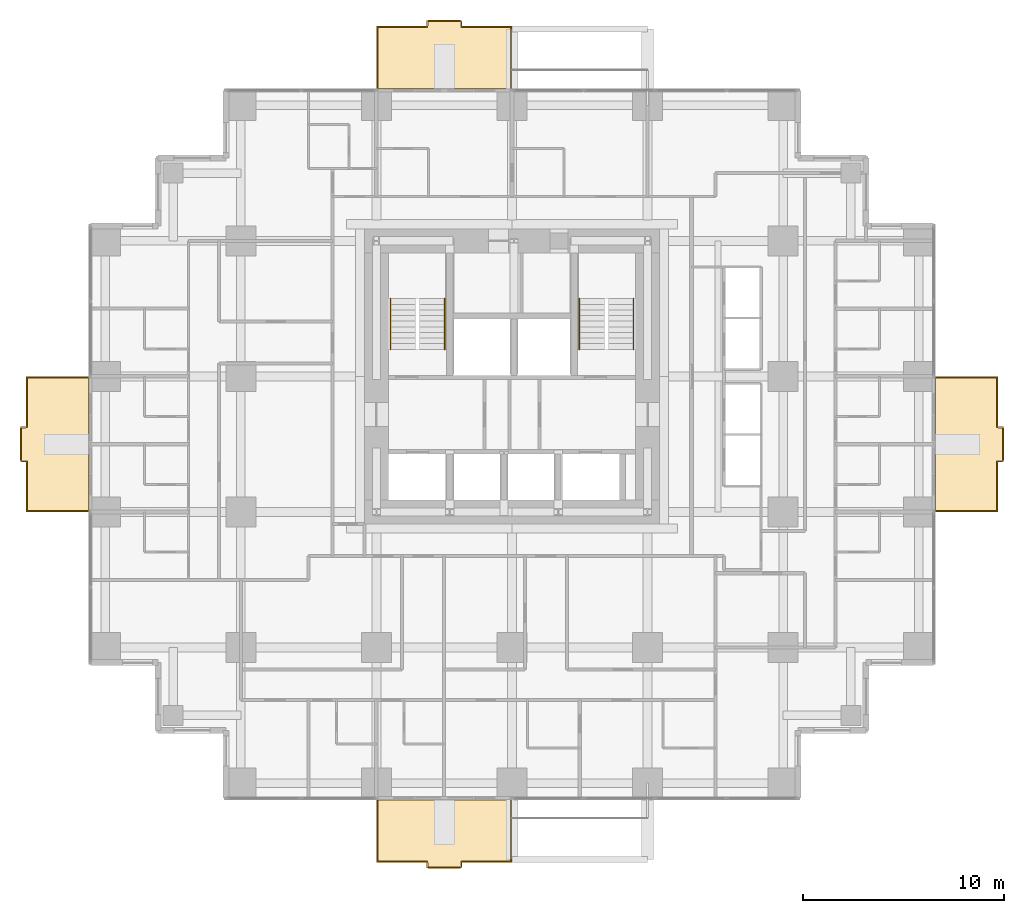
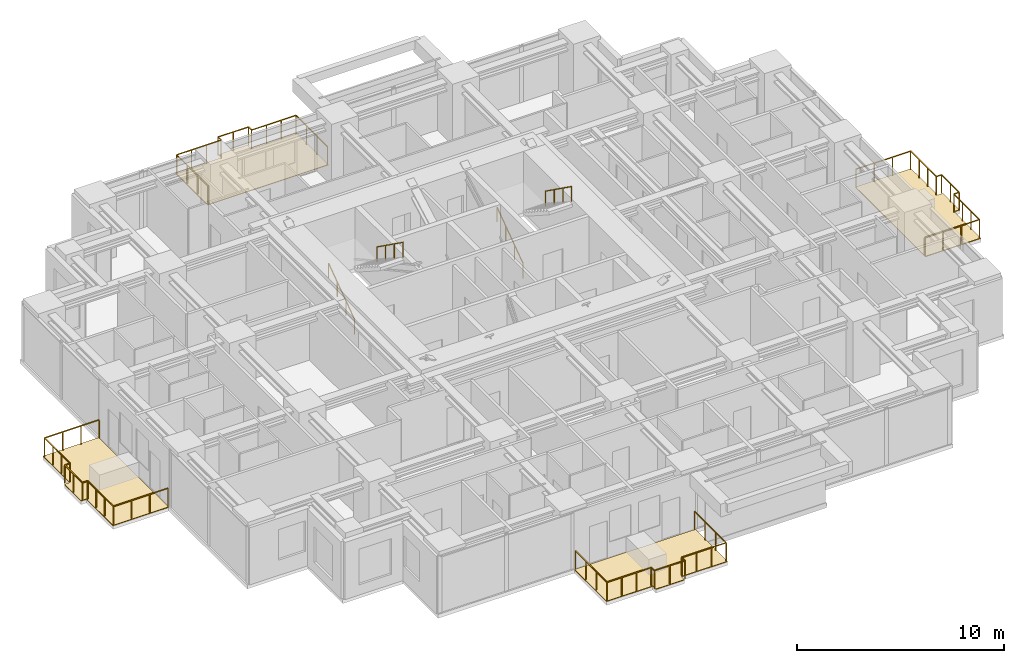
# One storey, part 13 of 13: 8 railings, 4 coverings.
"""IFC4 building model written with IfcOpenShell, lengths in metres."""

from ifc_helpers import new_model, si_unit, direction, frame, origin, origin_2d, place, context, subcontext, project, spatial, polyline, rectangle, outline, extrude, material, layer, layer_set, type_object, element, save


model = new_model("IFC4")

# Units and contexts
model_context = context("Model", 3, precision=1e-05, world=origin(), true_north=direction((0.0, 1.0)))
body_context = subcontext(model_context, "Body", "Model", "MODEL_VIEW")
ifc_project = project(units=[si_unit("LENGTHUNIT", "METRE"), si_unit("AREAUNIT", "SQUARE_METRE"), si_unit("VOLUMEUNIT", "CUBIC_METRE"), si_unit("PLANEANGLEUNIT", "RADIAN"), si_unit("MASSUNIT", "GRAM", prefix="KILO")], contexts=[model_context])

# Site, building, storey
site_placement = place(None, origin())
site = spatial("IfcSite", under=ifc_project, at=site_placement, CompositionType="ELEMENT")
building_placement = place(site_placement, origin())
building = spatial("IfcBuilding", under=site, at=building_placement, Name="Nyansa Garden Tower", CompositionType="ELEMENT")
storey_placement = place(building_placement, frame((0.0, 0.0, 130.5)))
storey = spatial("IfcBuildingStorey", under=building, at=storey_placement, Name="L35", CompositionType="ELEMENT", Elevation=130.5)

# Coverings
ifc_material_1 = material(Name="Hardwood decking on pedestals", Category="wood")
ifc_layer = layer(ifc_material_1, 0.0400390625)
ifc_layer_set = layer_set([ifc_layer], Name="Balcony decking DK40")
covering_type = type_object("IfcCoveringType", Name="Balcony decking DK40", PredefinedType="FLOORING", material=ifc_layer_set)
covering_1_placement = place(storey_placement, frame((0.0, 0.0, -0.0400390625)))
element("IfcCovering", 1, at=covering_1_placement, inside=storey, type_object=covering_type, Name="Balcony decking L35", PredefinedType="FLOORING", context=body_context, shape_type="SweptSolid", body=[
    extrude(outline(polyline([(13.5, -0.85009765625), (20.25, -0.85009765625), (20.25, -3.949951171875), (17.675048828125, -3.949951171875), (17.675048828125, -4.25), (16.074951171875, -4.25), (16.074951171875, -3.949951171875), (13.5, -3.949951171875), (13.5, -0.85009765625)])), origin(), (0.0, 0.0, 1.0), 0.0400390625),
])
covering_2_placement = place(storey_placement, frame((0.0, 0.0, -0.0400390625)))
element("IfcCovering", 2, at=covering_2_placement, inside=storey, type_object=covering_type, Name="Balcony decking L35", PredefinedType="FLOORING", context=body_context, shape_type="SweptSolid", body=[
    extrude(outline(polyline([(41.35009765625, 13.5), (41.35009765625, 20.25), (44.449951171875, 20.25), (44.449951171875, 17.675048828125), (44.75, 17.675048828125), (44.75, 16.074951171875), (44.449951171875, 16.074951171875), (44.449951171875, 13.5), (41.35009765625, 13.5)])), origin(), (0.0, 0.0, 1.0), 0.0400390625),
])
covering_3_placement = place(storey_placement, frame((0.0, 0.0, -0.0400390625)))
element("IfcCovering", 3, at=covering_3_placement, inside=storey, type_object=covering_type, Name="Balcony decking L35", PredefinedType="FLOORING", context=body_context, shape_type="SweptSolid", body=[
    extrude(outline(polyline([(13.5, 34.60009765625), (20.25, 34.60009765625), (20.25, 37.699951171875), (17.675048828125, 37.699951171875), (17.675048828125, 38.0), (16.074951171875, 38.0), (16.074951171875, 37.699951171875), (13.5, 37.699951171875), (13.5, 34.60009765625)])), origin(), (0.0, 0.0, 1.0), 0.0400390625),
])
covering_4_placement = place(storey_placement, frame((0.0, 0.0, -0.0400390625)))
element("IfcCovering", 4, at=covering_4_placement, inside=storey, type_object=covering_type, Name="Balcony decking L35", PredefinedType="FLOORING", context=body_context, shape_type="SweptSolid", body=[
    extrude(outline(polyline([(-0.85009765625, 13.5), (-0.85009765625, 20.25), (-3.949951171875, 20.25), (-3.949951171875, 17.675048828125), (-4.25, 17.675048828125), (-4.25, 16.074951171875), (-3.949951171875, 16.074951171875), (-3.949951171875, 13.5), (-0.85009765625, 13.5)])), origin(), (0.0, 0.0, 1.0), 0.0400390625),
])

# Railings
ifc_material_2 = material(Name="Black powder-coated steel balusters, laminated glass infill", Category="steel")
railing_type_1 = type_object("IfcRailingType", Name="Balcony guard G1", PredefinedType="GUARDRAIL", material=ifc_material_2)
railing_1_placement = place(storey_placement, frame((13.550048828125, -0.85009765625, 0.0)))
element("IfcRailing", 5, at=railing_1_placement, inside=storey, type_object=railing_type_1, Name="Balcony guard L35", PredefinedType="GUARDRAIL", context=body_context, shape_type="SweptSolid", body=[
    extrude(rectangle(XDim=0.048095703125, YDim=0.048095703125, at=origin_2d()), frame((0.0, 0.0, 1.076171875), z_axis=(0.0, -1.0, 0.0), x_axis=(1.0, 0.0, 0.0)), (0.0, 0.0, 1.0), 3.0498046875),
    extrude(rectangle(XDim=0.048095703125, YDim=0.048095703125, at=origin_2d()), frame((0.0, -3.0498046875, 1.076171875), z_axis=(1.0, 0.0, 0.0), x_axis=(0.0, 1.0, 0.0)), (0.0, 0.0, 1.0), 2.474853515625),
    extrude(rectangle(XDim=0.048095703125, YDim=0.048095703125, at=origin_2d()), frame((2.474853515625, -3.0498046875, 1.076171875), z_axis=(0.0, -1.0, 0.0), x_axis=(1.0, 0.0, 0.0)), (0.0, 0.0, 1.0), 0.300048828125),
    extrude(rectangle(XDim=0.048095703125, YDim=0.048095703125, at=origin_2d()), frame((2.474853515625, -3.349853515625, 1.076171875), z_axis=(1.0, 0.0, 0.0), x_axis=(0.0, 1.0, 0.0)), (0.0, 0.0, 1.0), 1.7001953125),
    extrude(rectangle(XDim=0.048095703125, YDim=0.048095703125, at=origin_2d()), frame((4.175048828125, -3.349853515625, 1.076171875), z_axis=(0.0, 1.0, 0.0), x_axis=(-1.0, 0.0, 0.0)), (0.0, 0.0, 1.0), 0.300048828125),
    extrude(rectangle(XDim=0.048095703125, YDim=0.048095703125, at=origin_2d()), frame((4.175048828125, -3.0498046875, 1.076171875), z_axis=(1.0, 0.0, 0.0), x_axis=(0.0, 1.0, 0.0)), (0.0, 0.0, 1.0), 2.474853515625),
    extrude(rectangle(XDim=0.048095703125, YDim=0.048095703125, at=origin_2d()), frame((6.64990234375, -3.0498046875, 1.076171875), z_axis=(0.0, 1.0, 0.0), x_axis=(-1.0, 0.0, 0.0)), (0.0, 0.0, 1.0), 3.0498046875),
    extrude(rectangle(XDim=0.0419921875, YDim=0.0419921875, at=origin_2d()), origin(), (0.0, 0.0, 1.0), 1.052001953125),
    extrude(rectangle(XDim=0.0419921875, YDim=0.0419921875, at=origin_2d()), frame((0.0, -1.0166015625, 0.0)), (0.0, 0.0, 1.0), 1.052001953125),
    extrude(rectangle(XDim=0.0419921875, YDim=0.0419921875, at=origin_2d()), frame((0.0, -2.033203125, 0.0)), (0.0, 0.0, 1.0), 1.052001953125),
    extrude(rectangle(XDim=0.0419921875, YDim=0.0419921875, at=origin_2d()), frame((0.0, -3.0498046875, 0.0)), (0.0, 0.0, 1.0), 1.052001953125),
    extrude(rectangle(XDim=0.0419921875, YDim=0.0419921875, at=origin_2d()), frame((0.824951171875, -3.0498046875, 0.0)), (0.0, 0.0, 1.0), 1.052001953125),
    extrude(rectangle(XDim=0.0419921875, YDim=0.0419921875, at=origin_2d()), frame((1.64990234375, -3.0498046875, 0.0)), (0.0, 0.0, 1.0), 1.052001953125),
    extrude(rectangle(XDim=0.0419921875, YDim=0.0419921875, at=origin_2d()), frame((2.474853515625, -3.0498046875, 0.0)), (0.0, 0.0, 1.0), 1.052001953125),
    extrude(rectangle(XDim=0.0419921875, YDim=0.0419921875, at=origin_2d()), frame((2.474853515625, -3.349853515625, 0.0)), (0.0, 0.0, 1.0), 1.052001953125),
    extrude(rectangle(XDim=0.0419921875, YDim=0.0419921875, at=origin_2d()), frame((3.324951171875, -3.349853515625, 0.0)), (0.0, 0.0, 1.0), 1.052001953125),
    extrude(rectangle(XDim=0.0419921875, YDim=0.0419921875, at=origin_2d()), frame((4.175048828125, -3.349853515625, 0.0)), (0.0, 0.0, 1.0), 1.052001953125),
    extrude(rectangle(XDim=0.0419921875, YDim=0.0419921875, at=origin_2d()), frame((4.175048828125, -3.0498046875, 0.0)), (0.0, 0.0, 1.0), 1.052001953125),
    extrude(rectangle(XDim=0.0419921875, YDim=0.0419921875, at=origin_2d()), frame((5.0, -3.0498046875, 0.0)), (0.0, 0.0, 1.0), 1.052001953125),
    extrude(rectangle(XDim=0.0419921875, YDim=0.0419921875, at=origin_2d()), frame((5.824951171875, -3.0498046875, 0.0)), (0.0, 0.0, 1.0), 1.052001953125),
    extrude(rectangle(XDim=0.0419921875, YDim=0.0419921875, at=origin_2d()), frame((6.64990234375, -3.0498046875, 0.0)), (0.0, 0.0, 1.0), 1.052001953125),
    extrude(rectangle(XDim=0.0419921875, YDim=0.0419921875, at=origin_2d()), frame((6.64990234375, -2.033203125, 0.0)), (0.0, 0.0, 1.0), 1.052001953125),
    extrude(rectangle(XDim=0.0419921875, YDim=0.0419921875, at=origin_2d()), frame((6.64990234375, -1.0166015625, 0.0)), (0.0, 0.0, 1.0), 1.052001953125),
    extrude(rectangle(XDim=0.0419921875, YDim=0.0419921875, at=origin_2d()), frame((6.64990234375, 0.0, 0.0)), (0.0, 0.0, 1.0), 1.052001953125),
])
railing_2_placement = place(storey_placement, frame((41.35009765625, 13.550048828125, 0.0)))
element("IfcRailing", 6, at=railing_2_placement, inside=storey, type_object=railing_type_1, Name="Balcony guard L35", PredefinedType="GUARDRAIL", context=body_context, shape_type="SweptSolid", body=[
    extrude(rectangle(XDim=0.048095703125, YDim=0.048095703125, at=origin_2d()), frame((0.0, 0.0, 1.076171875), z_axis=(1.0, 0.0, 0.0), x_axis=(0.0, 1.0, 0.0)), (0.0, 0.0, 1.0), 3.0498046875),
    extrude(rectangle(XDim=0.048095703125, YDim=0.048095703125, at=origin_2d()), frame((3.0498046875, 0.0, 1.076171875), z_axis=(0.0, 1.0, 0.0), x_axis=(-1.0, 0.0, 0.0)), (0.0, 0.0, 1.0), 2.474853515625),
    extrude(rectangle(XDim=0.048095703125, YDim=0.048095703125, at=origin_2d()), frame((3.0498046875, 2.474853515625, 1.076171875), z_axis=(1.0, 0.0, 0.0), x_axis=(0.0, 1.0, 0.0)), (0.0, 0.0, 1.0), 0.300048828125),
    extrude(rectangle(XDim=0.048095703125, YDim=0.048095703125, at=origin_2d()), frame((3.349853515625, 2.474853515625, 1.076171875), z_axis=(0.0, 1.0, 0.0), x_axis=(-1.0, 0.0, 0.0)), (0.0, 0.0, 1.0), 1.7001953125),
    extrude(rectangle(XDim=0.048095703125, YDim=0.048095703125, at=origin_2d()), frame((3.349853515625, 4.175048828125, 1.076171875), z_axis=(-1.0, 0.0, 0.0), x_axis=(0.0, -1.0, 0.0)), (0.0, 0.0, 1.0), 0.300048828125),
    extrude(rectangle(XDim=0.048095703125, YDim=0.048095703125, at=origin_2d()), frame((3.0498046875, 4.175048828125, 1.076171875), z_axis=(0.0, 1.0, 0.0), x_axis=(-1.0, 0.0, 0.0)), (0.0, 0.0, 1.0), 2.474853515625),
    extrude(rectangle(XDim=0.048095703125, YDim=0.048095703125, at=origin_2d()), frame((3.0498046875, 6.64990234375, 1.076171875), z_axis=(-1.0, 0.0, 0.0), x_axis=(0.0, -1.0, 0.0)), (0.0, 0.0, 1.0), 3.0498046875),
    extrude(rectangle(XDim=0.0419921875, YDim=0.0419921875, at=origin_2d()), origin(), (0.0, 0.0, 1.0), 1.052001953125),
    extrude(rectangle(XDim=0.0419921875, YDim=0.0419921875, at=origin_2d()), frame((1.0166015625, 0.0, 0.0)), (0.0, 0.0, 1.0), 1.052001953125),
    extrude(rectangle(XDim=0.0419921875, YDim=0.0419921875, at=origin_2d()), frame((2.033203125, 0.0, 0.0)), (0.0, 0.0, 1.0), 1.052001953125),
    extrude(rectangle(XDim=0.0419921875, YDim=0.0419921875, at=origin_2d()), frame((3.0498046875, 0.0, 0.0)), (0.0, 0.0, 1.0), 1.052001953125),
    extrude(rectangle(XDim=0.0419921875, YDim=0.0419921875, at=origin_2d()), frame((3.0498046875, 0.824951171875, 0.0)), (0.0, 0.0, 1.0), 1.052001953125),
    extrude(rectangle(XDim=0.0419921875, YDim=0.0419921875, at=origin_2d()), frame((3.0498046875, 1.64990234375, 0.0)), (0.0, 0.0, 1.0), 1.052001953125),
    extrude(rectangle(XDim=0.0419921875, YDim=0.0419921875, at=origin_2d()), frame((3.0498046875, 2.474853515625, 0.0)), (0.0, 0.0, 1.0), 1.052001953125),
    extrude(rectangle(XDim=0.0419921875, YDim=0.0419921875, at=origin_2d()), frame((3.349853515625, 2.474853515625, 0.0)), (0.0, 0.0, 1.0), 1.052001953125),
    extrude(rectangle(XDim=0.0419921875, YDim=0.0419921875, at=origin_2d()), frame((3.349853515625, 3.324951171875, 0.0)), (0.0, 0.0, 1.0), 1.052001953125),
    extrude(rectangle(XDim=0.0419921875, YDim=0.0419921875, at=origin_2d()), frame((3.349853515625, 4.175048828125, 0.0)), (0.0, 0.0, 1.0), 1.052001953125),
    extrude(rectangle(XDim=0.0419921875, YDim=0.0419921875, at=origin_2d()), frame((3.0498046875, 4.175048828125, 0.0)), (0.0, 0.0, 1.0), 1.052001953125),
    extrude(rectangle(XDim=0.0419921875, YDim=0.0419921875, at=origin_2d()), frame((3.0498046875, 5.0, 0.0)), (0.0, 0.0, 1.0), 1.052001953125),
    extrude(rectangle(XDim=0.0419921875, YDim=0.0419921875, at=origin_2d()), frame((3.0498046875, 5.824951171875, 0.0)), (0.0, 0.0, 1.0), 1.052001953125),
    extrude(rectangle(XDim=0.0419921875, YDim=0.0419921875, at=origin_2d()), frame((3.0498046875, 6.64990234375, 0.0)), (0.0, 0.0, 1.0), 1.052001953125),
    extrude(rectangle(XDim=0.0419921875, YDim=0.0419921875, at=origin_2d()), frame((2.033203125, 6.64990234375, 0.0)), (0.0, 0.0, 1.0), 1.052001953125),
    extrude(rectangle(XDim=0.0419921875, YDim=0.0419921875, at=origin_2d()), frame((1.0166015625, 6.64990234375, 0.0)), (0.0, 0.0, 1.0), 1.052001953125),
    extrude(rectangle(XDim=0.0419921875, YDim=0.0419921875, at=origin_2d()), frame((0.0, 6.64990234375, 0.0)), (0.0, 0.0, 1.0), 1.052001953125),
])
railing_3_placement = place(storey_placement, frame((13.550048828125, 34.60009765625, 0.0)))
element("IfcRailing", 7, at=railing_3_placement, inside=storey, type_object=railing_type_1, Name="Balcony guard L35", PredefinedType="GUARDRAIL", context=body_context, shape_type="SweptSolid", body=[
    extrude(rectangle(XDim=0.048095703125, YDim=0.048095703125, at=origin_2d()), frame((0.0, 0.0, 1.076171875), z_axis=(0.0, 1.0, 0.0), x_axis=(-1.0, 0.0, 0.0)), (0.0, 0.0, 1.0), 3.0498046875),
    extrude(rectangle(XDim=0.048095703125, YDim=0.048095703125, at=origin_2d()), frame((0.0, 3.0498046875, 1.076171875), z_axis=(1.0, 0.0, 0.0), x_axis=(0.0, 1.0, 0.0)), (0.0, 0.0, 1.0), 2.474853515625),
    extrude(rectangle(XDim=0.048095703125, YDim=0.048095703125, at=origin_2d()), frame((2.474853515625, 3.0498046875, 1.076171875), z_axis=(0.0, 1.0, 0.0), x_axis=(-1.0, 0.0, 0.0)), (0.0, 0.0, 1.0), 0.300048828125),
    extrude(rectangle(XDim=0.048095703125, YDim=0.048095703125, at=origin_2d()), frame((2.474853515625, 3.349853515625, 1.076171875), z_axis=(1.0, 0.0, 0.0), x_axis=(0.0, 1.0, 0.0)), (0.0, 0.0, 1.0), 1.7001953125),
    extrude(rectangle(XDim=0.048095703125, YDim=0.048095703125, at=origin_2d()), frame((4.175048828125, 3.349853515625, 1.076171875), z_axis=(0.0, -1.0, 0.0), x_axis=(1.0, 0.0, 0.0)), (0.0, 0.0, 1.0), 0.300048828125),
    extrude(rectangle(XDim=0.048095703125, YDim=0.048095703125, at=origin_2d()), frame((4.175048828125, 3.0498046875, 1.076171875), z_axis=(1.0, 0.0, 0.0), x_axis=(0.0, 1.0, 0.0)), (0.0, 0.0, 1.0), 2.474853515625),
    extrude(rectangle(XDim=0.048095703125, YDim=0.048095703125, at=origin_2d()), frame((6.64990234375, 3.0498046875, 1.076171875), z_axis=(0.0, -1.0, 0.0), x_axis=(1.0, 0.0, 0.0)), (0.0, 0.0, 1.0), 3.0498046875),
    extrude(rectangle(XDim=0.0419921875, YDim=0.0419921875, at=origin_2d()), origin(), (0.0, 0.0, 1.0), 1.052001953125),
    extrude(rectangle(XDim=0.0419921875, YDim=0.0419921875, at=origin_2d()), frame((0.0, 1.0166015625, 0.0)), (0.0, 0.0, 1.0), 1.052001953125),
    extrude(rectangle(XDim=0.0419921875, YDim=0.0419921875, at=origin_2d()), frame((0.0, 2.033203125, 0.0)), (0.0, 0.0, 1.0), 1.052001953125),
    extrude(rectangle(XDim=0.0419921875, YDim=0.0419921875, at=origin_2d()), frame((0.0, 3.0498046875, 0.0)), (0.0, 0.0, 1.0), 1.052001953125),
    extrude(rectangle(XDim=0.0419921875, YDim=0.0419921875, at=origin_2d()), frame((0.824951171875, 3.0498046875, 0.0)), (0.0, 0.0, 1.0), 1.052001953125),
    extrude(rectangle(XDim=0.0419921875, YDim=0.0419921875, at=origin_2d()), frame((1.64990234375, 3.0498046875, 0.0)), (0.0, 0.0, 1.0), 1.052001953125),
    extrude(rectangle(XDim=0.0419921875, YDim=0.0419921875, at=origin_2d()), frame((2.474853515625, 3.0498046875, 0.0)), (0.0, 0.0, 1.0), 1.052001953125),
    extrude(rectangle(XDim=0.0419921875, YDim=0.0419921875, at=origin_2d()), frame((2.474853515625, 3.349853515625, 0.0)), (0.0, 0.0, 1.0), 1.052001953125),
    extrude(rectangle(XDim=0.0419921875, YDim=0.0419921875, at=origin_2d()), frame((3.324951171875, 3.349853515625, 0.0)), (0.0, 0.0, 1.0), 1.052001953125),
    extrude(rectangle(XDim=0.0419921875, YDim=0.0419921875, at=origin_2d()), frame((4.175048828125, 3.349853515625, 0.0)), (0.0, 0.0, 1.0), 1.052001953125),
    extrude(rectangle(XDim=0.0419921875, YDim=0.0419921875, at=origin_2d()), frame((4.175048828125, 3.0498046875, 0.0)), (0.0, 0.0, 1.0), 1.052001953125),
    extrude(rectangle(XDim=0.0419921875, YDim=0.0419921875, at=origin_2d()), frame((5.0, 3.0498046875, 0.0)), (0.0, 0.0, 1.0), 1.052001953125),
    extrude(rectangle(XDim=0.0419921875, YDim=0.0419921875, at=origin_2d()), frame((5.824951171875, 3.0498046875, 0.0)), (0.0, 0.0, 1.0), 1.052001953125),
    extrude(rectangle(XDim=0.0419921875, YDim=0.0419921875, at=origin_2d()), frame((6.64990234375, 3.0498046875, 0.0)), (0.0, 0.0, 1.0), 1.052001953125),
    extrude(rectangle(XDim=0.0419921875, YDim=0.0419921875, at=origin_2d()), frame((6.64990234375, 2.033203125, 0.0)), (0.0, 0.0, 1.0), 1.052001953125),
    extrude(rectangle(XDim=0.0419921875, YDim=0.0419921875, at=origin_2d()), frame((6.64990234375, 1.0166015625, 0.0)), (0.0, 0.0, 1.0), 1.052001953125),
    extrude(rectangle(XDim=0.0419921875, YDim=0.0419921875, at=origin_2d()), frame((6.64990234375, 0.0, 0.0)), (0.0, 0.0, 1.0), 1.052001953125),
])
railing_4_placement = place(storey_placement, frame((-0.85009765625, 13.550048828125, 0.0)))
element("IfcRailing", 8, at=railing_4_placement, inside=storey, type_object=railing_type_1, Name="Balcony guard L35", PredefinedType="GUARDRAIL", context=body_context, shape_type="SweptSolid", body=[
    extrude(rectangle(XDim=0.048095703125, YDim=0.048095703125, at=origin_2d()), frame((0.0, 0.0, 1.076171875), z_axis=(-1.0, 0.0, 0.0), x_axis=(0.0, -1.0, 0.0)), (0.0, 0.0, 1.0), 3.0498046875),
    extrude(rectangle(XDim=0.048095703125, YDim=0.048095703125, at=origin_2d()), frame((-3.0498046875, 0.0, 1.076171875), z_axis=(0.0, 1.0, 0.0), x_axis=(-1.0, 0.0, 0.0)), (0.0, 0.0, 1.0), 2.474853515625),
    extrude(rectangle(XDim=0.048095703125, YDim=0.048095703125, at=origin_2d()), frame((-3.0498046875, 2.474853515625, 1.076171875), z_axis=(-1.0, 0.0, 0.0), x_axis=(0.0, -1.0, 0.0)), (0.0, 0.0, 1.0), 0.300048828125),
    extrude(rectangle(XDim=0.048095703125, YDim=0.048095703125, at=origin_2d()), frame((-3.349853515625, 2.474853515625, 1.076171875), z_axis=(0.0, 1.0, 0.0), x_axis=(-1.0, 0.0, 0.0)), (0.0, 0.0, 1.0), 1.7001953125),
    extrude(rectangle(XDim=0.048095703125, YDim=0.048095703125, at=origin_2d()), frame((-3.349853515625, 4.175048828125, 1.076171875), z_axis=(1.0, 0.0, 0.0), x_axis=(0.0, 1.0, 0.0)), (0.0, 0.0, 1.0), 0.300048828125),
    extrude(rectangle(XDim=0.048095703125, YDim=0.048095703125, at=origin_2d()), frame((-3.0498046875, 4.175048828125, 1.076171875), z_axis=(0.0, 1.0, 0.0), x_axis=(-1.0, 0.0, 0.0)), (0.0, 0.0, 1.0), 2.474853515625),
    extrude(rectangle(XDim=0.048095703125, YDim=0.048095703125, at=origin_2d()), frame((-3.0498046875, 6.64990234375, 1.076171875), z_axis=(1.0, 0.0, 0.0), x_axis=(0.0, 1.0, 0.0)), (0.0, 0.0, 1.0), 3.0498046875),
    extrude(rectangle(XDim=0.0419921875, YDim=0.0419921875, at=origin_2d()), origin(), (0.0, 0.0, 1.0), 1.052001953125),
    extrude(rectangle(XDim=0.0419921875, YDim=0.0419921875, at=origin_2d()), frame((-1.0166015625, 0.0, 0.0)), (0.0, 0.0, 1.0), 1.052001953125),
    extrude(rectangle(XDim=0.0419921875, YDim=0.0419921875, at=origin_2d()), frame((-2.033203125, 0.0, 0.0)), (0.0, 0.0, 1.0), 1.052001953125),
    extrude(rectangle(XDim=0.0419921875, YDim=0.0419921875, at=origin_2d()), frame((-3.0498046875, 0.0, 0.0)), (0.0, 0.0, 1.0), 1.052001953125),
    extrude(rectangle(XDim=0.0419921875, YDim=0.0419921875, at=origin_2d()), frame((-3.0498046875, 0.824951171875, 0.0)), (0.0, 0.0, 1.0), 1.052001953125),
    extrude(rectangle(XDim=0.0419921875, YDim=0.0419921875, at=origin_2d()), frame((-3.0498046875, 1.64990234375, 0.0)), (0.0, 0.0, 1.0), 1.052001953125),
    extrude(rectangle(XDim=0.0419921875, YDim=0.0419921875, at=origin_2d()), frame((-3.0498046875, 2.474853515625, 0.0)), (0.0, 0.0, 1.0), 1.052001953125),
    extrude(rectangle(XDim=0.0419921875, YDim=0.0419921875, at=origin_2d()), frame((-3.349853515625, 2.474853515625, 0.0)), (0.0, 0.0, 1.0), 1.052001953125),
    extrude(rectangle(XDim=0.0419921875, YDim=0.0419921875, at=origin_2d()), frame((-3.349853515625, 3.324951171875, 0.0)), (0.0, 0.0, 1.0), 1.052001953125),
    extrude(rectangle(XDim=0.0419921875, YDim=0.0419921875, at=origin_2d()), frame((-3.349853515625, 4.175048828125, 0.0)), (0.0, 0.0, 1.0), 1.052001953125),
    extrude(rectangle(XDim=0.0419921875, YDim=0.0419921875, at=origin_2d()), frame((-3.0498046875, 4.175048828125, 0.0)), (0.0, 0.0, 1.0), 1.052001953125),
    extrude(rectangle(XDim=0.0419921875, YDim=0.0419921875, at=origin_2d()), frame((-3.0498046875, 5.0, 0.0)), (0.0, 0.0, 1.0), 1.052001953125),
    extrude(rectangle(XDim=0.0419921875, YDim=0.0419921875, at=origin_2d()), frame((-3.0498046875, 5.824951171875, 0.0)), (0.0, 0.0, 1.0), 1.052001953125),
    extrude(rectangle(XDim=0.0419921875, YDim=0.0419921875, at=origin_2d()), frame((-3.0498046875, 6.64990234375, 0.0)), (0.0, 0.0, 1.0), 1.052001953125),
    extrude(rectangle(XDim=0.0419921875, YDim=0.0419921875, at=origin_2d()), frame((-2.033203125, 6.64990234375, 0.0)), (0.0, 0.0, 1.0), 1.052001953125),
    extrude(rectangle(XDim=0.0419921875, YDim=0.0419921875, at=origin_2d()), frame((-1.0166015625, 6.64990234375, 0.0)), (0.0, 0.0, 1.0), 1.052001953125),
    extrude(rectangle(XDim=0.0419921875, YDim=0.0419921875, at=origin_2d()), frame((0.0, 6.64990234375, 0.0)), (0.0, 0.0, 1.0), 1.052001953125),
])
ifc_material_3 = material(Name="Black powder-coated steel tube 48 mm", Category="steel")
railing_type_2 = type_object("IfcRailingType", Name="Stair handrail HR1", PredefinedType="HANDRAIL", material=ifc_material_3)
railing_5_placement = place(storey_placement, frame((14.199951171875, 21.60009765625, 0.0)))
element("IfcRailing", 9, at=railing_5_placement, inside=storey, type_object=railing_type_2, Name="Stair S1 handrail L35", PredefinedType="HANDRAIL", context=body_context, shape_type="SweptSolid", body=[
    extrude(rectangle(XDim=0.048095703125, YDim=0.048095703125, at=origin_2d()), frame((0.0, 0.0, 0.8759765625), z_axis=(0.0, 0.813728144527, 0.581245650998), x_axis=(-1.0, 0.0, 0.0)), (0.0, 0.0, 1.0), 3.096923828125),
    extrude(rectangle(XDim=0.0419921875, YDim=0.0419921875, at=origin_2d()), origin(), (0.0, 0.0, 1.0), 0.851806640625),
    extrude(rectangle(XDim=0.0419921875, YDim=0.0419921875, at=origin_2d()), frame((0.0, 0.840087890625, 0.60009765625)), (0.0, 0.0, 1.0), 0.851806640625),
    extrude(rectangle(XDim=0.0419921875, YDim=0.0419921875, at=origin_2d()), frame((0.0, 1.679931640625, 1.199951171875)), (0.0, 0.0, 1.0), 0.851806640625),
    extrude(rectangle(XDim=0.0419921875, YDim=0.0419921875, at=origin_2d()), frame((0.0, 2.52001953125, 1.800048828125)), (0.0, 0.0, 1.0), 0.851806640625),
])
railing_6_placement = place(storey_placement, frame((16.89990234375, 24.1201171875, 1.800048828125)))
element("IfcRailing", 10, at=railing_6_placement, inside=storey, type_object=railing_type_2, Name="Stair S1 handrail L35", PredefinedType="HANDRAIL", context=body_context, shape_type="SweptSolid", body=[
    extrude(rectangle(XDim=0.048095703125, YDim=0.048095703125, at=origin_2d()), frame((0.0, 0.0, 0.8759765625), z_axis=(0.0, -0.813728144527, 0.581245650998), x_axis=(1.0, 0.0, 0.0)), (0.0, 0.0, 1.0), 3.096923828125),
    extrude(rectangle(XDim=0.0419921875, YDim=0.0419921875, at=origin_2d()), origin(), (0.0, 0.0, 1.0), 0.851806640625),
    extrude(rectangle(XDim=0.0419921875, YDim=0.0419921875, at=origin_2d()), frame((0.0, -0.840087890625, 0.60009765625)), (0.0, 0.0, 1.0), 0.851806640625),
    extrude(rectangle(XDim=0.0419921875, YDim=0.0419921875, at=origin_2d()), frame((0.0, -1.679931640625, 1.199951171875)), (0.0, 0.0, 1.0), 0.851806640625),
    extrude(rectangle(XDim=0.0419921875, YDim=0.0419921875, at=origin_2d()), frame((0.0, -2.52001953125, 1.800048828125)), (0.0, 0.0, 1.0), 0.851806640625),
])
railing_7_placement = place(storey_placement, frame((23.60009765625, 21.60009765625, 0.0)))
element("IfcRailing", 11, at=railing_7_placement, inside=storey, type_object=railing_type_2, Name="Stair S2 handrail L35", PredefinedType="HANDRAIL", context=body_context, shape_type="SweptSolid", body=[
    extrude(rectangle(XDim=0.048095703125, YDim=0.048095703125, at=origin_2d()), frame((0.0, 0.0, 0.8759765625), z_axis=(0.0, 0.813728144527, 0.581245650998), x_axis=(-1.0, 0.0, 0.0)), (0.0, 0.0, 1.0), 3.096923828125),
    extrude(rectangle(XDim=0.0419921875, YDim=0.0419921875, at=origin_2d()), origin(), (0.0, 0.0, 1.0), 0.851806640625),
    extrude(rectangle(XDim=0.0419921875, YDim=0.0419921875, at=origin_2d()), frame((0.0, 0.840087890625, 0.60009765625)), (0.0, 0.0, 1.0), 0.851806640625),
    extrude(rectangle(XDim=0.0419921875, YDim=0.0419921875, at=origin_2d()), frame((0.0, 1.679931640625, 1.199951171875)), (0.0, 0.0, 1.0), 0.851806640625),
    extrude(rectangle(XDim=0.0419921875, YDim=0.0419921875, at=origin_2d()), frame((0.0, 2.52001953125, 1.800048828125)), (0.0, 0.0, 1.0), 0.851806640625),
])
railing_8_placement = place(storey_placement, frame((26.300048828125, 24.1201171875, 1.800048828125)))
element("IfcRailing", 12, at=railing_8_placement, inside=storey, type_object=railing_type_2, Name="Stair S2 handrail L35", PredefinedType="HANDRAIL", context=body_context, shape_type="SweptSolid", body=[
    extrude(rectangle(XDim=0.048095703125, YDim=0.048095703125, at=origin_2d()), frame((0.0, 0.0, 0.8759765625), z_axis=(0.0, -0.813728144527, 0.581245650998), x_axis=(1.0, 0.0, 0.0)), (0.0, 0.0, 1.0), 3.096923828125),
    extrude(rectangle(XDim=0.0419921875, YDim=0.0419921875, at=origin_2d()), origin(), (0.0, 0.0, 1.0), 0.851806640625),
    extrude(rectangle(XDim=0.0419921875, YDim=0.0419921875, at=origin_2d()), frame((0.0, -0.840087890625, 0.60009765625)), (0.0, 0.0, 1.0), 0.851806640625),
    extrude(rectangle(XDim=0.0419921875, YDim=0.0419921875, at=origin_2d()), frame((0.0, -1.679931640625, 1.199951171875)), (0.0, 0.0, 1.0), 0.851806640625),
    extrude(rectangle(XDim=0.0419921875, YDim=0.0419921875, at=origin_2d()), frame((0.0, -2.52001953125, 1.800048828125)), (0.0, 0.0, 1.0), 0.851806640625),
])

save(model, "model.ifc")
